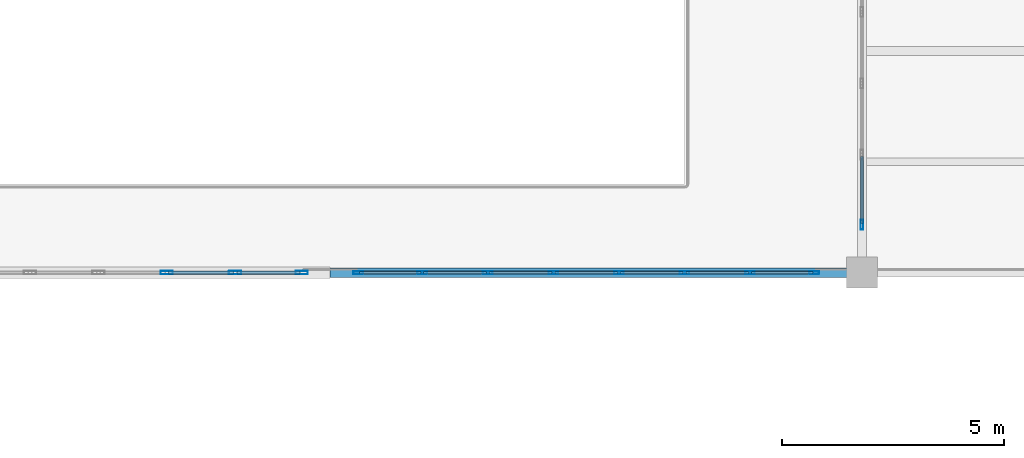
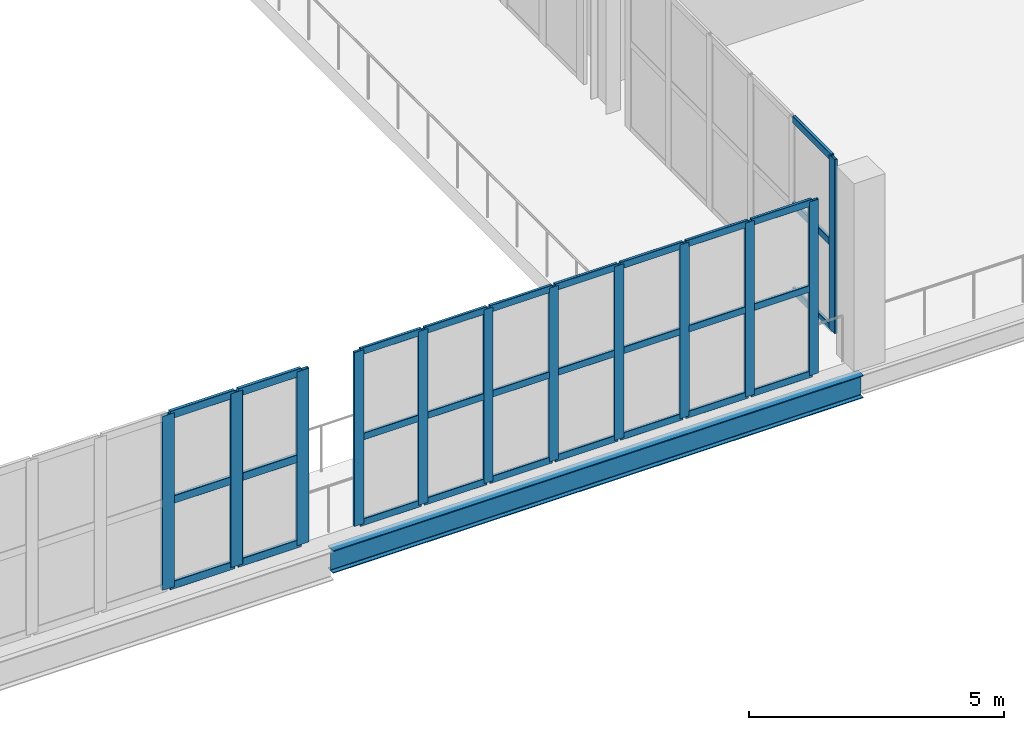
# One storey, part 6 of 90: 42 members, 1 beam, 3 elements without a shape of their own.
"""IFC4 building model written with IfcOpenShell, lengths in metres."""

from ifc_helpers import new_model, si_unit, direction, frame, origin, origin_2d, place, context, subcontext, project, spatial, hollow_rectangle, i_section, extrude, material, layer, layer_set, material_profile, profile_set, type_object, element, aggregate, save


model = new_model("IFC4")

# Units and contexts
model_context = context("Model", 3, precision=1e-05, world=origin(), true_north=direction((0.0, 1.0)))
body_context = subcontext(model_context, "Body", "Model", "MODEL_VIEW")
ifc_project = project(units=[si_unit("LENGTHUNIT", "METRE"), si_unit("AREAUNIT", "SQUARE_METRE"), si_unit("VOLUMEUNIT", "CUBIC_METRE"), si_unit("PLANEANGLEUNIT", "RADIAN"), si_unit("MASSUNIT", "GRAM", prefix="KILO")], contexts=[model_context])

# Site, building, storey
site_placement = place(None, origin())
site = spatial("IfcSite", under=ifc_project, at=site_placement, CompositionType="ELEMENT")
building_placement = place(site_placement, origin())
building = spatial("IfcBuilding", under=site, at=building_placement, Name="Brinegate Civic Arena", CompositionType="ELEMENT")
storey_placement = place(building_placement, frame((0.0, 0.0, 14.699951171875)))
storey = spatial("IfcBuildingStorey", under=building, at=storey_placement, Name="L03", CompositionType="ELEMENT", Elevation=14.699951171875)

# Curtain wall, members
ifc_material_1 = material(Name="Marine grade aluminium", Category="aluminium")
ifc_layer_1 = layer(ifc_material_1, 0.18505859375, Name="Marine grade aluminium")
ifc_layer_set_1 = layer_set([ifc_layer_1], Name="Marine grade aluminium")
curtain_wall_type_1 = type_object("IfcCurtainWallType", Name="CW-WING-GLAZED-03", PredefinedType="USERDEFINED", material=ifc_layer_set_1)
curtain_wall_1_placement = place(storey_placement, origin())
curtain_wall_1 = element("IfcCurtainWall", 1, at=curtain_wall_1_placement, inside=storey, type_object=curtain_wall_type_1, Name="Curtain Wall CWA-031", ObjectType="GLAZED CURTAIN WALL", PredefinedType="USERDEFINED")
ifc_material_profile_1 = material_profile(ifc_material_1, hollow_rectangle(XDim=0.06494140625, YDim=0.219970703125, WallThickness=0.006103515625, InnerFilletRadius=0.00390625, OuterFilletRadius=0.008056640625, at=origin_2d()), Name="MUL65X220")
ifc_profile_set_1 = profile_set([ifc_material_profile_1], Name="Marine grade aluminium")
member_type_1 = type_object("IfcMemberType", Name="CW-MULLION-65X220", PredefinedType="MULLION", material=ifc_profile_set_1)
member_1_placement = place(storey_placement, frame((36.632568359375, 10.0, 0.0), z_axis=(0.0, 0.0, 1.0), x_axis=(0.0, 1.0, 0.0)))
member_1 = element("IfcMember", 2, at=member_1_placement, type_object=member_type_1, Name="CWA-031 mullion 1", PredefinedType="MULLION", context=body_context, shape_type="SweptSolid", body=[
    extrude(hollow_rectangle(XDim=0.06494140625, YDim=0.219970703125, WallThickness=0.006103515625, InnerFilletRadius=0.00390625, OuterFilletRadius=0.008056640625, at=origin_2d()), origin(), (0.0, 0.0, 1.0), 4.16015625),
])
member_2_placement = place(storey_placement, frame((38.079345703125, 10.0, 0.0), z_axis=(0.0, 0.0, 1.0), x_axis=(0.0, 1.0, 0.0)))
member_2 = element("IfcMember", 3, at=member_2_placement, type_object=member_type_1, Name="CWA-031 mullion 2", PredefinedType="MULLION", context=body_context, shape_type="SweptSolid", body=[
    extrude(hollow_rectangle(XDim=0.06494140625, YDim=0.219970703125, WallThickness=0.006103515625, InnerFilletRadius=0.00390625, OuterFilletRadius=0.008056640625, at=origin_2d()), origin(), (0.0, 0.0, 1.0), 4.16015625),
])
member_3_placement = place(storey_placement, frame((39.55859375, 10.0, 0.0), z_axis=(0.0, 0.0, 1.0), x_axis=(0.0, 1.0, 0.0)))
member_3 = element("IfcMember", 4, at=member_3_placement, type_object=member_type_1, Name="CWA-031 mullion 3", PredefinedType="MULLION", context=body_context, shape_type="SweptSolid", body=[
    extrude(hollow_rectangle(XDim=0.06494140625, YDim=0.219970703125, WallThickness=0.006103515625, InnerFilletRadius=0.00390625, OuterFilletRadius=0.008056640625, at=origin_2d()), origin(), (0.0, 0.0, 1.0), 4.16015625),
])
member_4_placement = place(storey_placement, frame((41.037841796875, 10.0, 0.0), z_axis=(0.0, 0.0, 1.0), x_axis=(0.0, 1.0, 0.0)))
member_4 = element("IfcMember", 5, at=member_4_placement, type_object=member_type_1, Name="CWA-031 mullion 4", PredefinedType="MULLION", context=body_context, shape_type="SweptSolid", body=[
    extrude(hollow_rectangle(XDim=0.06494140625, YDim=0.219970703125, WallThickness=0.006103515625, InnerFilletRadius=0.00390625, OuterFilletRadius=0.008056640625, at=origin_2d()), origin(), (0.0, 0.0, 1.0), 4.16015625),
])
member_5_placement = place(storey_placement, frame((42.51708984375, 10.0, 0.0), z_axis=(0.0, 0.0, 1.0), x_axis=(0.0, 1.0, 0.0)))
member_5 = element("IfcMember", 6, at=member_5_placement, type_object=member_type_1, Name="CWA-031 mullion 5", PredefinedType="MULLION", context=body_context, shape_type="SweptSolid", body=[
    extrude(hollow_rectangle(XDim=0.06494140625, YDim=0.219970703125, WallThickness=0.006103515625, InnerFilletRadius=0.00390625, OuterFilletRadius=0.008056640625, at=origin_2d()), origin(), (0.0, 0.0, 1.0), 4.16015625),
])
member_6_placement = place(storey_placement, frame((43.996337890625, 10.0, 0.0), z_axis=(0.0, 0.0, 1.0), x_axis=(0.0, 1.0, 0.0)))
member_6 = element("IfcMember", 7, at=member_6_placement, type_object=member_type_1, Name="CWA-031 mullion 6", PredefinedType="MULLION", context=body_context, shape_type="SweptSolid", body=[
    extrude(hollow_rectangle(XDim=0.06494140625, YDim=0.219970703125, WallThickness=0.006103515625, InnerFilletRadius=0.00390625, OuterFilletRadius=0.008056640625, at=origin_2d()), origin(), (0.0, 0.0, 1.0), 4.16015625),
])
member_7_placement = place(storey_placement, frame((45.475830078125, 10.0, 0.0), z_axis=(0.0, 0.0, 1.0), x_axis=(0.0, 1.0, 0.0)))
member_7 = element("IfcMember", 8, at=member_7_placement, type_object=member_type_1, Name="CWA-031 mullion 7", PredefinedType="MULLION", context=body_context, shape_type="SweptSolid", body=[
    extrude(hollow_rectangle(XDim=0.06494140625, YDim=0.219970703125, WallThickness=0.006103515625, InnerFilletRadius=0.00390625, OuterFilletRadius=0.008056640625, at=origin_2d()), origin(), (0.0, 0.0, 1.0), 4.16015625),
])
member_8_placement = place(storey_placement, frame((46.922607421875, 10.0, 0.0), z_axis=(0.0, 0.0, 1.0), x_axis=(0.0, 1.0, 0.0)))
member_8 = element("IfcMember", 9, at=member_8_placement, type_object=member_type_1, Name="CWA-031 mullion 8", PredefinedType="MULLION", context=body_context, shape_type="SweptSolid", body=[
    extrude(hollow_rectangle(XDim=0.06494140625, YDim=0.219970703125, WallThickness=0.006103515625, InnerFilletRadius=0.00390625, OuterFilletRadius=0.008056640625, at=origin_2d()), origin(), (0.0, 0.0, 1.0), 4.16015625),
])

# Curtain wall, member
ifc_layer_2 = layer(ifc_material_1, 0.199951171875, Name="Marine grade aluminium")
ifc_layer_set_2 = layer_set([ifc_layer_2], Name="Marine grade aluminium")
curtain_wall_type_2 = type_object("IfcCurtainWallType", Name="CW-BOWL-GLAZED-01", PredefinedType="USERDEFINED", material=ifc_layer_set_2)
curtain_wall_2_placement = place(storey_placement, origin())
curtain_wall_2 = element("IfcCurtainWall", 10, at=curtain_wall_2_placement, inside=storey, type_object=curtain_wall_type_2, Name="Curtain Wall CWA-105", ObjectType="GLAZED CURTAIN WALL", PredefinedType="USERDEFINED")
member_9_placement = place(storey_placement, frame((48.0, 11.077392578125, 0.0), z_axis=(0.0, 0.0, 1.0), x_axis=(-1.0, 0.0, 0.0)))
member_9 = element("IfcMember", 11, at=member_9_placement, type_object=member_type_1, Name="CWA-105 mullion 1", PredefinedType="MULLION", context=body_context, shape_type="SweptSolid", body=[
    extrude(hollow_rectangle(XDim=0.06494140625, YDim=0.219970703125, WallThickness=0.006103515625, InnerFilletRadius=0.00390625, OuterFilletRadius=0.008056640625, at=origin_2d()), origin(), (0.0, 0.0, 1.0), 4.16015625),
])

# Curtain wall, members
curtain_wall_3_placement = place(storey_placement, origin())
curtain_wall_3 = element("IfcCurtainWall", 12, at=curtain_wall_3_placement, inside=storey, type_object=curtain_wall_type_1, Name="Curtain Wall CWA-029", ObjectType="GLAZED CURTAIN WALL", PredefinedType="USERDEFINED")
ifc_material_profile_2 = material_profile(ifc_material_1, hollow_rectangle(XDim=0.080078125, YDim=0.280029296875, WallThickness=0.007080078125, InnerFilletRadius=0.0048828125, OuterFilletRadius=0.010009765625, at=origin_2d()), Name="MUL80X280")
ifc_profile_set_2 = profile_set([ifc_material_profile_2], Name="Marine grade aluminium")
member_type_2 = type_object("IfcMemberType", Name="CW-MULLION-80X280", PredefinedType="MULLION", material=ifc_profile_set_2)
member_10_placement = place(storey_placement, frame((32.314208984375, 10.0, 0.0), z_axis=(0.0, 0.0, 1.0), x_axis=(0.0, 1.0, 0.0)))
member_10 = element("IfcMember", 13, at=member_10_placement, type_object=member_type_2, Name="CWA-029 mullion 6", PredefinedType="MULLION", context=body_context, shape_type="SweptSolid", body=[
    extrude(hollow_rectangle(XDim=0.080078125, YDim=0.280029296875, WallThickness=0.007080078125, InnerFilletRadius=0.0048828125, OuterFilletRadius=0.010009765625, at=origin_2d()), origin(), (0.0, 0.0, 1.0), 4.16015625),
])
member_11_placement = place(storey_placement, frame((33.857177734375, 10.0, 0.0), z_axis=(0.0, 0.0, 1.0), x_axis=(0.0, 1.0, 0.0)))
member_11 = element("IfcMember", 14, at=member_11_placement, type_object=member_type_2, Name="CWA-029 mullion 7", PredefinedType="MULLION", context=body_context, shape_type="SweptSolid", body=[
    extrude(hollow_rectangle(XDim=0.080078125, YDim=0.280029296875, WallThickness=0.007080078125, InnerFilletRadius=0.0048828125, OuterFilletRadius=0.010009765625, at=origin_2d()), origin(), (0.0, 0.0, 1.0), 4.16015625),
])
member_12_placement = place(storey_placement, frame((35.360107421875, 10.0, 0.0), z_axis=(0.0, 0.0, 1.0), x_axis=(0.0, 1.0, 0.0)))
member_12 = element("IfcMember", 15, at=member_12_placement, type_object=member_type_2, Name="CWA-029 mullion 8", PredefinedType="MULLION", context=body_context, shape_type="SweptSolid", body=[
    extrude(hollow_rectangle(XDim=0.080078125, YDim=0.280029296875, WallThickness=0.007080078125, InnerFilletRadius=0.0048828125, OuterFilletRadius=0.010009765625, at=origin_2d()), origin(), (0.0, 0.0, 1.0), 4.16015625),
])

# Member
ifc_material_profile_3 = material_profile(ifc_material_1, hollow_rectangle(XDim=0.06494140625, YDim=0.1650390625, WallThickness=0.0048828125, InnerFilletRadius=0.00390625, OuterFilletRadius=0.008056640625, at=origin_2d()), Name="TRN65X165")
ifc_profile_set_3 = profile_set([ifc_material_profile_3], Name="Marine grade aluminium")
member_type_3 = type_object("IfcMemberType", Name="CW-TRANSOM-65X165", PredefinedType="USERDEFINED", material=ifc_profile_set_3)
member_13_placement = place(storey_placement, frame((36.6650390625, 10.0, 0.032470703125), z_axis=(1.0, 0.0, 0.0), x_axis=(0.0, 1.0, 0.0)))
member_13 = element("IfcMember", 16, at=member_13_placement, type_object=member_type_3, Name="CWA-031 transom 1.1", ObjectType="TRANSOM", PredefinedType="USERDEFINED", context=body_context, shape_type="SweptSolid", body=[
    extrude(hollow_rectangle(XDim=0.06494140625, YDim=0.1650390625, WallThickness=0.0048828125, InnerFilletRadius=0.00390625, OuterFilletRadius=0.008056640625, at=origin_2d()), origin(), (0.0, 0.0, 1.0), 1.3818359375),
])

member_14_placement = place(storey_placement, frame((36.6650390625, 10.0, 2.080078125), z_axis=(1.0, 0.0, 0.0), x_axis=(0.0, 1.0, 0.0)))
member_14 = element("IfcMember", 17, at=member_14_placement, type_object=member_type_3, Name="CWA-031 transom 1.2", ObjectType="TRANSOM", PredefinedType="USERDEFINED", context=body_context, shape_type="SweptSolid", body=[
    extrude(hollow_rectangle(XDim=0.06494140625, YDim=0.1650390625, WallThickness=0.0048828125, InnerFilletRadius=0.00390625, OuterFilletRadius=0.008056640625, at=origin_2d()), origin(), (0.0, 0.0, 1.0), 1.3818359375),
])

member_15_placement = place(storey_placement, frame((36.6650390625, 10.0, 4.12744140625), z_axis=(1.0, 0.0, 0.0), x_axis=(0.0, 1.0, 0.0)))
member_15 = element("IfcMember", 18, at=member_15_placement, type_object=member_type_3, Name="CWA-031 transom 1.3", ObjectType="TRANSOM", PredefinedType="USERDEFINED", context=body_context, shape_type="SweptSolid", body=[
    extrude(hollow_rectangle(XDim=0.06494140625, YDim=0.1650390625, WallThickness=0.0048828125, InnerFilletRadius=0.00390625, OuterFilletRadius=0.008056640625, at=origin_2d()), origin(), (0.0, 0.0, 1.0), 1.3818359375),
])

member_16_placement = place(storey_placement, frame((38.11181640625, 10.0, 0.032470703125), z_axis=(1.0, 0.0, 0.0), x_axis=(0.0, 1.0, 0.0)))
member_16 = element("IfcMember", 19, at=member_16_placement, type_object=member_type_3, Name="CWA-031 transom 2.1", ObjectType="TRANSOM", PredefinedType="USERDEFINED", context=body_context, shape_type="SweptSolid", body=[
    extrude(hollow_rectangle(XDim=0.06494140625, YDim=0.1650390625, WallThickness=0.0048828125, InnerFilletRadius=0.00390625, OuterFilletRadius=0.008056640625, at=origin_2d()), origin(), (0.0, 0.0, 1.0), 1.414306640625),
])

member_17_placement = place(storey_placement, frame((38.11181640625, 10.0, 2.080078125), z_axis=(1.0, 0.0, 0.0), x_axis=(0.0, 1.0, 0.0)))
member_17 = element("IfcMember", 20, at=member_17_placement, type_object=member_type_3, Name="CWA-031 transom 2.2", ObjectType="TRANSOM", PredefinedType="USERDEFINED", context=body_context, shape_type="SweptSolid", body=[
    extrude(hollow_rectangle(XDim=0.06494140625, YDim=0.1650390625, WallThickness=0.0048828125, InnerFilletRadius=0.00390625, OuterFilletRadius=0.008056640625, at=origin_2d()), origin(), (0.0, 0.0, 1.0), 1.414306640625),
])

member_18_placement = place(storey_placement, frame((38.11181640625, 10.0, 4.12744140625), z_axis=(1.0, 0.0, 0.0), x_axis=(0.0, 1.0, 0.0)))
member_18 = element("IfcMember", 21, at=member_18_placement, type_object=member_type_3, Name="CWA-031 transom 2.3", ObjectType="TRANSOM", PredefinedType="USERDEFINED", context=body_context, shape_type="SweptSolid", body=[
    extrude(hollow_rectangle(XDim=0.06494140625, YDim=0.1650390625, WallThickness=0.0048828125, InnerFilletRadius=0.00390625, OuterFilletRadius=0.008056640625, at=origin_2d()), origin(), (0.0, 0.0, 1.0), 1.414306640625),
])

member_19_placement = place(storey_placement, frame((39.591064453125, 10.0, 0.032470703125), z_axis=(1.0, 0.0, 0.0), x_axis=(0.0, 1.0, 0.0)))
member_19 = element("IfcMember", 22, at=member_19_placement, type_object=member_type_3, Name="CWA-031 transom 3.1", ObjectType="TRANSOM", PredefinedType="USERDEFINED", context=body_context, shape_type="SweptSolid", body=[
    extrude(hollow_rectangle(XDim=0.06494140625, YDim=0.1650390625, WallThickness=0.0048828125, InnerFilletRadius=0.00390625, OuterFilletRadius=0.008056640625, at=origin_2d()), origin(), (0.0, 0.0, 1.0), 1.414306640625),
])

member_20_placement = place(storey_placement, frame((39.591064453125, 10.0, 2.080078125), z_axis=(1.0, 0.0, 0.0), x_axis=(0.0, 1.0, 0.0)))
member_20 = element("IfcMember", 23, at=member_20_placement, type_object=member_type_3, Name="CWA-031 transom 3.2", ObjectType="TRANSOM", PredefinedType="USERDEFINED", context=body_context, shape_type="SweptSolid", body=[
    extrude(hollow_rectangle(XDim=0.06494140625, YDim=0.1650390625, WallThickness=0.0048828125, InnerFilletRadius=0.00390625, OuterFilletRadius=0.008056640625, at=origin_2d()), origin(), (0.0, 0.0, 1.0), 1.414306640625),
])

member_21_placement = place(storey_placement, frame((39.591064453125, 10.0, 4.12744140625), z_axis=(1.0, 0.0, 0.0), x_axis=(0.0, 1.0, 0.0)))
member_21 = element("IfcMember", 24, at=member_21_placement, type_object=member_type_3, Name="CWA-031 transom 3.3", ObjectType="TRANSOM", PredefinedType="USERDEFINED", context=body_context, shape_type="SweptSolid", body=[
    extrude(hollow_rectangle(XDim=0.06494140625, YDim=0.1650390625, WallThickness=0.0048828125, InnerFilletRadius=0.00390625, OuterFilletRadius=0.008056640625, at=origin_2d()), origin(), (0.0, 0.0, 1.0), 1.414306640625),
])

member_22_placement = place(storey_placement, frame((41.0703125, 10.0, 0.032470703125), z_axis=(1.0, 0.0, 0.0), x_axis=(0.0, 1.0, 0.0)))
member_22 = element("IfcMember", 25, at=member_22_placement, type_object=member_type_3, Name="CWA-031 transom 4.1", ObjectType="TRANSOM", PredefinedType="USERDEFINED", context=body_context, shape_type="SweptSolid", body=[
    extrude(hollow_rectangle(XDim=0.06494140625, YDim=0.1650390625, WallThickness=0.0048828125, InnerFilletRadius=0.00390625, OuterFilletRadius=0.008056640625, at=origin_2d()), origin(), (0.0, 0.0, 1.0), 1.414306640625),
])

member_23_placement = place(storey_placement, frame((41.0703125, 10.0, 2.080078125), z_axis=(1.0, 0.0, 0.0), x_axis=(0.0, 1.0, 0.0)))
member_23 = element("IfcMember", 26, at=member_23_placement, type_object=member_type_3, Name="CWA-031 transom 4.2", ObjectType="TRANSOM", PredefinedType="USERDEFINED", context=body_context, shape_type="SweptSolid", body=[
    extrude(hollow_rectangle(XDim=0.06494140625, YDim=0.1650390625, WallThickness=0.0048828125, InnerFilletRadius=0.00390625, OuterFilletRadius=0.008056640625, at=origin_2d()), origin(), (0.0, 0.0, 1.0), 1.414306640625),
])

member_24_placement = place(storey_placement, frame((41.0703125, 10.0, 4.12744140625), z_axis=(1.0, 0.0, 0.0), x_axis=(0.0, 1.0, 0.0)))
member_24 = element("IfcMember", 27, at=member_24_placement, type_object=member_type_3, Name="CWA-031 transom 4.3", ObjectType="TRANSOM", PredefinedType="USERDEFINED", context=body_context, shape_type="SweptSolid", body=[
    extrude(hollow_rectangle(XDim=0.06494140625, YDim=0.1650390625, WallThickness=0.0048828125, InnerFilletRadius=0.00390625, OuterFilletRadius=0.008056640625, at=origin_2d()), origin(), (0.0, 0.0, 1.0), 1.414306640625),
])

member_25_placement = place(storey_placement, frame((42.549560546875, 10.0, 0.032470703125), z_axis=(1.0, 0.0, 0.0), x_axis=(0.0, 1.0, 0.0)))
member_25 = element("IfcMember", 28, at=member_25_placement, type_object=member_type_3, Name="CWA-031 transom 5.1", ObjectType="TRANSOM", PredefinedType="USERDEFINED", context=body_context, shape_type="SweptSolid", body=[
    extrude(hollow_rectangle(XDim=0.06494140625, YDim=0.1650390625, WallThickness=0.0048828125, InnerFilletRadius=0.00390625, OuterFilletRadius=0.008056640625, at=origin_2d()), origin(), (0.0, 0.0, 1.0), 1.414306640625),
])

member_26_placement = place(storey_placement, frame((42.549560546875, 10.0, 2.080078125), z_axis=(1.0, 0.0, 0.0), x_axis=(0.0, 1.0, 0.0)))
member_26 = element("IfcMember", 29, at=member_26_placement, type_object=member_type_3, Name="CWA-031 transom 5.2", ObjectType="TRANSOM", PredefinedType="USERDEFINED", context=body_context, shape_type="SweptSolid", body=[
    extrude(hollow_rectangle(XDim=0.06494140625, YDim=0.1650390625, WallThickness=0.0048828125, InnerFilletRadius=0.00390625, OuterFilletRadius=0.008056640625, at=origin_2d()), origin(), (0.0, 0.0, 1.0), 1.414306640625),
])

member_27_placement = place(storey_placement, frame((42.549560546875, 10.0, 4.12744140625), z_axis=(1.0, 0.0, 0.0), x_axis=(0.0, 1.0, 0.0)))
member_27 = element("IfcMember", 30, at=member_27_placement, type_object=member_type_3, Name="CWA-031 transom 5.3", ObjectType="TRANSOM", PredefinedType="USERDEFINED", context=body_context, shape_type="SweptSolid", body=[
    extrude(hollow_rectangle(XDim=0.06494140625, YDim=0.1650390625, WallThickness=0.0048828125, InnerFilletRadius=0.00390625, OuterFilletRadius=0.008056640625, at=origin_2d()), origin(), (0.0, 0.0, 1.0), 1.414306640625),
])

member_28_placement = place(storey_placement, frame((44.02880859375, 10.0, 0.032470703125), z_axis=(1.0, 0.0, 0.0), x_axis=(0.0, 1.0, 0.0)))
member_28 = element("IfcMember", 31, at=member_28_placement, type_object=member_type_3, Name="CWA-031 transom 6.1", ObjectType="TRANSOM", PredefinedType="USERDEFINED", context=body_context, shape_type="SweptSolid", body=[
    extrude(hollow_rectangle(XDim=0.06494140625, YDim=0.1650390625, WallThickness=0.0048828125, InnerFilletRadius=0.00390625, OuterFilletRadius=0.008056640625, at=origin_2d()), origin(), (0.0, 0.0, 1.0), 1.414306640625),
])

member_29_placement = place(storey_placement, frame((44.02880859375, 10.0, 2.080078125), z_axis=(1.0, 0.0, 0.0), x_axis=(0.0, 1.0, 0.0)))
member_29 = element("IfcMember", 32, at=member_29_placement, type_object=member_type_3, Name="CWA-031 transom 6.2", ObjectType="TRANSOM", PredefinedType="USERDEFINED", context=body_context, shape_type="SweptSolid", body=[
    extrude(hollow_rectangle(XDim=0.06494140625, YDim=0.1650390625, WallThickness=0.0048828125, InnerFilletRadius=0.00390625, OuterFilletRadius=0.008056640625, at=origin_2d()), origin(), (0.0, 0.0, 1.0), 1.414306640625),
])

member_30_placement = place(storey_placement, frame((44.02880859375, 10.0, 4.12744140625), z_axis=(1.0, 0.0, 0.0), x_axis=(0.0, 1.0, 0.0)))
member_30 = element("IfcMember", 33, at=member_30_placement, type_object=member_type_3, Name="CWA-031 transom 6.3", ObjectType="TRANSOM", PredefinedType="USERDEFINED", context=body_context, shape_type="SweptSolid", body=[
    extrude(hollow_rectangle(XDim=0.06494140625, YDim=0.1650390625, WallThickness=0.0048828125, InnerFilletRadius=0.00390625, OuterFilletRadius=0.008056640625, at=origin_2d()), origin(), (0.0, 0.0, 1.0), 1.414306640625),
])

member_31_placement = place(storey_placement, frame((45.50830078125, 10.0, 0.032470703125), z_axis=(1.0, 0.0, 0.0), x_axis=(0.0, 1.0, 0.0)))
member_31 = element("IfcMember", 34, at=member_31_placement, type_object=member_type_3, Name="CWA-031 transom 7.1", ObjectType="TRANSOM", PredefinedType="USERDEFINED", context=body_context, shape_type="SweptSolid", body=[
    extrude(hollow_rectangle(XDim=0.06494140625, YDim=0.1650390625, WallThickness=0.0048828125, InnerFilletRadius=0.00390625, OuterFilletRadius=0.008056640625, at=origin_2d()), origin(), (0.0, 0.0, 1.0), 1.381591796875),
])

member_32_placement = place(storey_placement, frame((45.50830078125, 10.0, 2.080078125), z_axis=(1.0, 0.0, 0.0), x_axis=(0.0, 1.0, 0.0)))
member_32 = element("IfcMember", 35, at=member_32_placement, type_object=member_type_3, Name="CWA-031 transom 7.2", ObjectType="TRANSOM", PredefinedType="USERDEFINED", context=body_context, shape_type="SweptSolid", body=[
    extrude(hollow_rectangle(XDim=0.06494140625, YDim=0.1650390625, WallThickness=0.0048828125, InnerFilletRadius=0.00390625, OuterFilletRadius=0.008056640625, at=origin_2d()), origin(), (0.0, 0.0, 1.0), 1.381591796875),
])

member_33_placement = place(storey_placement, frame((45.50830078125, 10.0, 4.12744140625), z_axis=(1.0, 0.0, 0.0), x_axis=(0.0, 1.0, 0.0)))
member_33 = element("IfcMember", 36, at=member_33_placement, type_object=member_type_3, Name="CWA-031 transom 7.3", ObjectType="TRANSOM", PredefinedType="USERDEFINED", context=body_context, shape_type="SweptSolid", body=[
    extrude(hollow_rectangle(XDim=0.06494140625, YDim=0.1650390625, WallThickness=0.0048828125, InnerFilletRadius=0.00390625, OuterFilletRadius=0.008056640625, at=origin_2d()), origin(), (0.0, 0.0, 1.0), 1.381591796875),
])

aggregate(curtain_wall_1, [member_1, member_2, member_3, member_4, member_5, member_6, member_7, member_8, member_13, member_14, member_15, member_16, member_17, member_18, member_19, member_20, member_21, member_22, member_23, member_24, member_25, member_26, member_27, member_28, member_29, member_30, member_31, member_32, member_33])

member_34_placement = place(storey_placement, frame((48.0, 11.110107421875, 0.032470703125), z_axis=(0.0, 1.0, 0.0), x_axis=(-1.0, 0.0, 0.0)))
member_34 = element("IfcMember", 37, at=member_34_placement, type_object=member_type_3, Name="CWA-105 transom 1.1", ObjectType="TRANSOM", PredefinedType="USERDEFINED", context=body_context, shape_type="SweptSolid", body=[
    extrude(hollow_rectangle(XDim=0.06494140625, YDim=0.1650390625, WallThickness=0.0048828125, InnerFilletRadius=0.00390625, OuterFilletRadius=0.008056640625, at=origin_2d()), origin(), (0.0, 0.0, 1.0), 1.51416015625),
])

member_35_placement = place(storey_placement, frame((48.0, 11.110107421875, 2.080078125), z_axis=(0.0, 1.0, 0.0), x_axis=(-1.0, 0.0, 0.0)))
member_35 = element("IfcMember", 38, at=member_35_placement, type_object=member_type_3, Name="CWA-105 transom 1.2", ObjectType="TRANSOM", PredefinedType="USERDEFINED", context=body_context, shape_type="SweptSolid", body=[
    extrude(hollow_rectangle(XDim=0.06494140625, YDim=0.1650390625, WallThickness=0.0048828125, InnerFilletRadius=0.00390625, OuterFilletRadius=0.008056640625, at=origin_2d()), origin(), (0.0, 0.0, 1.0), 1.51416015625),
])

member_36_placement = place(storey_placement, frame((48.0, 11.110107421875, 4.12744140625), z_axis=(0.0, 1.0, 0.0), x_axis=(-1.0, 0.0, 0.0)))
member_36 = element("IfcMember", 39, at=member_36_placement, type_object=member_type_3, Name="CWA-105 transom 1.3", ObjectType="TRANSOM", PredefinedType="USERDEFINED", context=body_context, shape_type="SweptSolid", body=[
    extrude(hollow_rectangle(XDim=0.06494140625, YDim=0.1650390625, WallThickness=0.0048828125, InnerFilletRadius=0.00390625, OuterFilletRadius=0.008056640625, at=origin_2d()), origin(), (0.0, 0.0, 1.0), 1.51416015625),
])

aggregate(curtain_wall_2, [member_9, member_34, member_35, member_36])

ifc_material_profile_4 = material_profile(ifc_material_1, hollow_rectangle(XDim=0.074951171875, YDim=0.18994140625, WallThickness=0.006103515625, InnerFilletRadius=0.00390625, OuterFilletRadius=0.008056640625, at=origin_2d()), Name="TRN75X190")
ifc_profile_set_4 = profile_set([ifc_material_profile_4], Name="Marine grade aluminium")
member_type_4 = type_object("IfcMemberType", Name="CW-TRANSOM-75X190", PredefinedType="USERDEFINED", material=ifc_profile_set_4)
member_37_placement = place(storey_placement, frame((32.354248046875, 10.0, 0.03759765625), z_axis=(1.0, 0.0, 0.0), x_axis=(0.0, 1.0, 0.0)))
member_37 = element("IfcMember", 40, at=member_37_placement, type_object=member_type_4, Name="CWA-029 transom 6.1", ObjectType="TRANSOM", PredefinedType="USERDEFINED", context=body_context, shape_type="SweptSolid", body=[
    extrude(hollow_rectangle(XDim=0.074951171875, YDim=0.18994140625, WallThickness=0.006103515625, InnerFilletRadius=0.00390625, OuterFilletRadius=0.008056640625, at=origin_2d()), origin(), (0.0, 0.0, 1.0), 1.462890625),
])

member_38_placement = place(storey_placement, frame((32.354248046875, 10.0, 2.080078125), z_axis=(1.0, 0.0, 0.0), x_axis=(0.0, 1.0, 0.0)))
member_38 = element("IfcMember", 41, at=member_38_placement, type_object=member_type_4, Name="CWA-029 transom 6.2", ObjectType="TRANSOM", PredefinedType="USERDEFINED", context=body_context, shape_type="SweptSolid", body=[
    extrude(hollow_rectangle(XDim=0.074951171875, YDim=0.18994140625, WallThickness=0.006103515625, InnerFilletRadius=0.00390625, OuterFilletRadius=0.008056640625, at=origin_2d()), origin(), (0.0, 0.0, 1.0), 1.462890625),
])

member_39_placement = place(storey_placement, frame((32.354248046875, 10.0, 4.12255859375), z_axis=(1.0, 0.0, 0.0), x_axis=(0.0, 1.0, 0.0)))
member_39 = element("IfcMember", 42, at=member_39_placement, type_object=member_type_4, Name="CWA-029 transom 6.3", ObjectType="TRANSOM", PredefinedType="USERDEFINED", context=body_context, shape_type="SweptSolid", body=[
    extrude(hollow_rectangle(XDim=0.074951171875, YDim=0.18994140625, WallThickness=0.006103515625, InnerFilletRadius=0.00390625, OuterFilletRadius=0.008056640625, at=origin_2d()), origin(), (0.0, 0.0, 1.0), 1.462890625),
])

member_40_placement = place(storey_placement, frame((33.897216796875, 10.0, 0.03759765625), z_axis=(1.0, 0.0, 0.0), x_axis=(0.0, 1.0, 0.0)))
member_40 = element("IfcMember", 43, at=member_40_placement, type_object=member_type_4, Name="CWA-029 transom 7.1", ObjectType="TRANSOM", PredefinedType="USERDEFINED", context=body_context, shape_type="SweptSolid", body=[
    extrude(hollow_rectangle(XDim=0.074951171875, YDim=0.18994140625, WallThickness=0.006103515625, InnerFilletRadius=0.00390625, OuterFilletRadius=0.008056640625, at=origin_2d()), origin(), (0.0, 0.0, 1.0), 1.4228515625),
])

member_41_placement = place(storey_placement, frame((33.897216796875, 10.0, 2.080078125), z_axis=(1.0, 0.0, 0.0), x_axis=(0.0, 1.0, 0.0)))
member_41 = element("IfcMember", 44, at=member_41_placement, type_object=member_type_4, Name="CWA-029 transom 7.2", ObjectType="TRANSOM", PredefinedType="USERDEFINED", context=body_context, shape_type="SweptSolid", body=[
    extrude(hollow_rectangle(XDim=0.074951171875, YDim=0.18994140625, WallThickness=0.006103515625, InnerFilletRadius=0.00390625, OuterFilletRadius=0.008056640625, at=origin_2d()), origin(), (0.0, 0.0, 1.0), 1.4228515625),
])

member_42_placement = place(storey_placement, frame((33.897216796875, 10.0, 4.12255859375), z_axis=(1.0, 0.0, 0.0), x_axis=(0.0, 1.0, 0.0)))
member_42 = element("IfcMember", 45, at=member_42_placement, type_object=member_type_4, Name="CWA-029 transom 7.3", ObjectType="TRANSOM", PredefinedType="USERDEFINED", context=body_context, shape_type="SweptSolid", body=[
    extrude(hollow_rectangle(XDim=0.074951171875, YDim=0.18994140625, WallThickness=0.006103515625, InnerFilletRadius=0.00390625, OuterFilletRadius=0.008056640625, at=origin_2d()), origin(), (0.0, 0.0, 1.0), 1.4228515625),
])

aggregate(curtain_wall_3, [member_10, member_11, member_12, member_37, member_38, member_39, member_40, member_41, member_42])

# Beam
ifc_material_2 = material(Name="Steel S355", Category="steel")
ifc_material_profile_5 = material_profile(ifc_material_2, i_section(OverallWidth=0.2119140625, OverallDepth=0.5439453125, WebThickness=0.012939453125, FlangeThickness=0.02099609375, FilletRadius=0.01611328125, at=origin_2d()), Name="W530X123")
ifc_profile_set_5 = profile_set([ifc_material_profile_5], Name="Steel S355")
beam_type = type_object("IfcBeamType", Name="SPANDREL-W530X123", PredefinedType="SPANDREL", material=ifc_profile_set_5)
beam_placement = place(storey_placement, frame((36.0, 10.0, -0.6220703125), z_axis=(1.0, 0.0, 0.0), x_axis=(0.0, 1.0, 0.0)))
element("IfcBeam", 46, at=beam_placement, inside=storey, type_object=beam_type, Name="Floor Girder BM-L03-GX-03-01", PredefinedType="SPANDREL", context=body_context, shape_type="SweptSolid", body=[
    extrude(i_section(OverallWidth=0.2119140625, OverallDepth=0.5439453125, WebThickness=0.012939453125, FlangeThickness=0.02099609375, FilletRadius=0.01611328125, at=origin_2d()), origin(), (0.0, 0.0, 1.0), 12.0),
])

save(model, "model.ifc")
